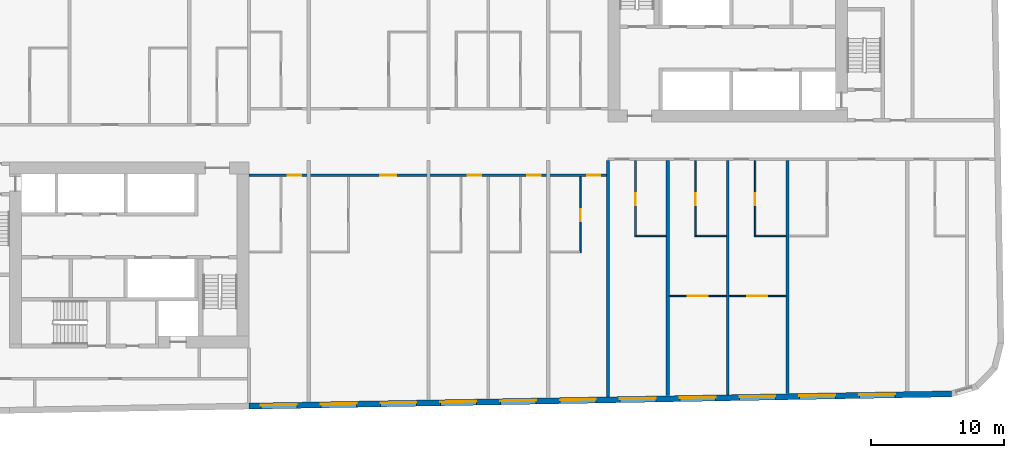
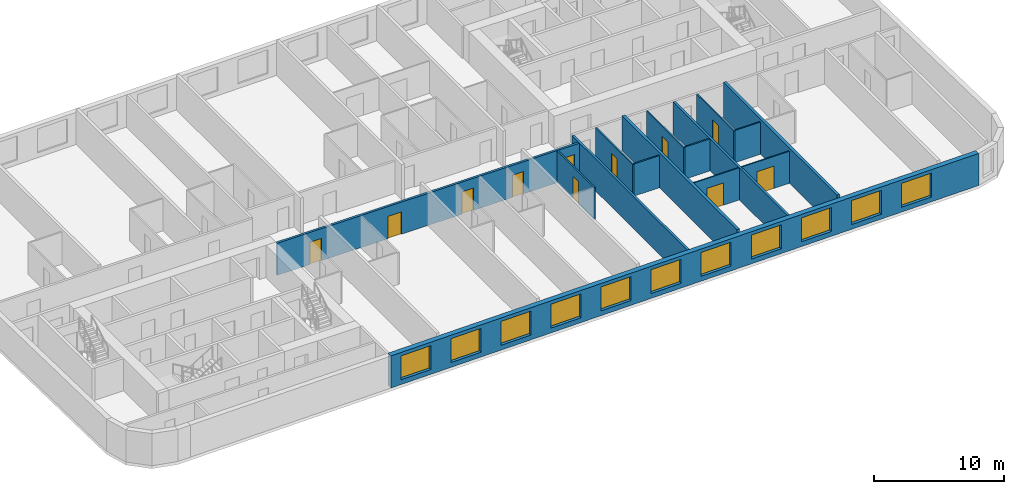
# One storey, part 4 of 11: 15 walls, 11 doors, 11 windows, 22 openings.
"""IFC4 building model written with IfcOpenShell, lengths in metres."""

from ifc_helpers import new_model, si_unit, direction, frame, frame_2d, origin, place, context, subcontext, project, spatial, rectangle, extrude, material, layer, layer_set, type_object, element, fill, save


model = new_model("IFC4")

# Units and contexts
model_context = context("Model", 3, precision=1e-05, world=origin(), true_north=direction((0.0, 1.0)))
body_context = subcontext(model_context, "Body", "Model", "MODEL_VIEW")
ifc_project = project(units=[si_unit("LENGTHUNIT", "METRE"), si_unit("AREAUNIT", "SQUARE_METRE"), si_unit("VOLUMEUNIT", "CUBIC_METRE"), si_unit("PLANEANGLEUNIT", "RADIAN"), si_unit("MASSUNIT", "GRAM", prefix="KILO")], contexts=[model_context])

# Site, building, storey
site_placement = place(None, origin())
site = spatial("IfcSite", under=ifc_project, at=site_placement, CompositionType="ELEMENT")
building_placement = place(site_placement, origin())
building = spatial("IfcBuilding", under=site, at=building_placement, Name="Kajstack Hotel Tower", CompositionType="ELEMENT")
storey_placement = place(building_placement, frame((0.0, 0.0, 230.89990234375)))
storey = spatial("IfcBuildingStorey", under=building, at=storey_placement, Name="L56", CompositionType="ELEMENT", Elevation=230.89990234375)

# Wall, openings, doors
ifc_material_1 = material(Name="Gypsum board on steel studs, mineral wool", Category="steel")
ifc_layer_1 = layer(ifc_material_1, 0.199951171875)
ifc_layer_set_1 = layer_set([ifc_layer_1], Name="Corridor wall 200")
wall_type_1 = type_object("IfcWallType", Name="Corridor wall 200", PredefinedType="PARTITIONING", material=ifc_layer_set_1)
wall_1_placement = place(storey_placement, frame((-13.5, -2.5, 0.0), z_axis=(0.0, 0.0, 1.0), x_axis=(1.0, 0.0, 0.0)))
wall_1 = element("IfcWall", 1, at=wall_1_placement, inside=storey, type_object=wall_type_1, Name="G-wall-L56-025", PredefinedType="PARTITIONING", context=body_context, shape_type="SweptSolid", body=[
    extrude(rectangle(XDim=27.0, YDim=0.199951171875, at=frame_2d((13.5, 0.0))), origin(), (0.0, 0.0, 1.0), 3.02001953125),
])
opening_1_placement = place(wall_1_placement, frame((2.925048828125, 0.0, 0.0)))
opening_1 = element("IfcOpeningElement", 2, at=opening_1_placement, cuts=wall_1, Name="Opening 56019", PredefinedType="OPENING", context=body_context, shape_type="SweptSolid", body=[
    extrude(rectangle(XDim=1.0, YDim=2.10009765625, at=frame_2d((0.5, 1.050048828125))), frame((0.0, 0.10986328125, 0.0), z_axis=(0.0, -1.0, 0.0), x_axis=(1.0, 0.0, 0.0)), (0.0, 0.0, 1.0), 0.219970703125),
])
opening_2_placement = place(wall_1_placement, frame((9.863037109375, 0.0, 0.0)))
opening_2 = element("IfcOpeningElement", 3, at=opening_2_placement, cuts=wall_1, Name="Opening 56021", PredefinedType="OPENING", context=body_context, shape_type="SweptSolid", body=[
    extrude(rectangle(XDim=1.199951171875, YDim=2.10009765625, at=frame_2d((0.60009765625, 1.050048828125))), frame((0.0, 0.10986328125, 0.0), z_axis=(0.0, -1.0, 0.0), x_axis=(1.0, 0.0, 0.0)), (0.0, 0.0, 1.0), 0.219970703125),
])
opening_3_placement = place(wall_1_placement, frame((16.449951171875, 0.0, 0.0)))
opening_3 = element("IfcOpeningElement", 4, at=opening_3_placement, cuts=wall_1, Name="Opening 56023", PredefinedType="OPENING", context=body_context, shape_type="SweptSolid", body=[
    extrude(rectangle(XDim=1.0, YDim=2.10009765625, at=frame_2d((0.5, 1.050048828125))), frame((0.0, 0.10986328125, 0.0), z_axis=(0.0, -1.0, 0.0), x_axis=(1.0, 0.0, 0.0)), (0.0, 0.0, 1.0), 0.219970703125),
])
opening_4_placement = place(wall_1_placement, frame((20.925048828125, 0.0, 0.0)))
opening_4 = element("IfcOpeningElement", 5, at=opening_4_placement, cuts=wall_1, Name="Opening 56025", PredefinedType="OPENING", context=body_context, shape_type="SweptSolid", body=[
    extrude(rectangle(XDim=1.0, YDim=2.10009765625, at=frame_2d((0.5, 1.050048828125))), frame((0.0, 0.10986328125, 0.0), z_axis=(0.0, -1.0, 0.0), x_axis=(1.0, 0.0, 0.0)), (0.0, 0.0, 1.0), 0.219970703125),
])
opening_5_placement = place(wall_1_placement, frame((25.425048828125, 0.0, 0.0)))
opening_5 = element("IfcOpeningElement", 6, at=opening_5_placement, cuts=wall_1, Name="Opening 56027", PredefinedType="OPENING", context=body_context, shape_type="SweptSolid", body=[
    extrude(rectangle(XDim=1.0, YDim=2.10009765625, at=frame_2d((0.5, 1.050048828125))), frame((0.0, 0.10986328125, 0.0), z_axis=(0.0, -1.0, 0.0), x_axis=(1.0, 0.0, 0.0)), (0.0, 0.0, 1.0), 0.219970703125),
])
ifc_material_2 = material(Name="Oak veneer on timber core, fire-rated leaf", Category="wood")
door_type_1 = type_object("IfcDoorType", Name="Flat entrance door 1000", OperationType="SINGLE_SWING_LEFT", PredefinedType="DOOR", material=ifc_material_2)
door_1_placement = place(opening_1_placement, origin())
door_1 = element("IfcDoor", 7, at=door_1_placement, inside=storey, type_object=door_type_1, Name="G-door-L56-19", OperationType="SINGLE_SWING_RIGHT", OverallHeight=2.10009765625, OverallWidth=1.0, PredefinedType="DOOR", context=body_context, shape_type="SweptSolid", body=[
    extrude(rectangle(XDim=1.0, YDim=2.10009765625, at=frame_2d((0.5, 1.050048828125))), frame((0.0, 0.02490234375, 0.0), z_axis=(0.0, -1.0, 0.0), x_axis=(1.0, 0.0, 0.0)), (0.0, 0.0, 1.0), 0.050048828125),
])
fill(opening_1, door_1)
door_2_placement = place(opening_3_placement, origin())
door_2 = element("IfcDoor", 8, at=door_2_placement, inside=storey, type_object=door_type_1, Name="G-door-L56-23", OperationType="SINGLE_SWING_LEFT", OverallHeight=2.10009765625, OverallWidth=1.0, PredefinedType="DOOR", context=body_context, shape_type="SweptSolid", body=[
    extrude(rectangle(XDim=1.0, YDim=2.10009765625, at=frame_2d((0.5, 1.050048828125))), frame((0.0, 0.02490234375, 0.0), z_axis=(0.0, -1.0, 0.0), x_axis=(1.0, 0.0, 0.0)), (0.0, 0.0, 1.0), 0.050048828125),
])
fill(opening_3, door_2)
door_3_placement = place(opening_4_placement, origin())
door_3 = element("IfcDoor", 9, at=door_3_placement, inside=storey, type_object=door_type_1, Name="G-door-L56-25", OperationType="SINGLE_SWING_RIGHT", OverallHeight=2.10009765625, OverallWidth=1.0, PredefinedType="DOOR", context=body_context, shape_type="SweptSolid", body=[
    extrude(rectangle(XDim=1.0, YDim=2.10009765625, at=frame_2d((0.5, 1.050048828125))), frame((0.0, 0.02490234375, 0.0), z_axis=(0.0, -1.0, 0.0), x_axis=(1.0, 0.0, 0.0)), (0.0, 0.0, 1.0), 0.050048828125),
])
fill(opening_4, door_3)
door_4_placement = place(opening_5_placement, origin())
door_4 = element("IfcDoor", 10, at=door_4_placement, inside=storey, type_object=door_type_1, Name="G-door-L56-27", OperationType="SINGLE_SWING_LEFT", OverallHeight=2.10009765625, OverallWidth=1.0, PredefinedType="DOOR", context=body_context, shape_type="SweptSolid", body=[
    extrude(rectangle(XDim=1.0, YDim=2.10009765625, at=frame_2d((0.5, 1.050048828125))), frame((0.0, 0.02490234375, 0.0), z_axis=(0.0, -1.0, 0.0), x_axis=(1.0, 0.0, 0.0)), (0.0, 0.0, 1.0), 0.050048828125),
])
fill(opening_5, door_4)
door_type_2 = type_object("IfcDoorType", Name="Flat entrance door 1200", OperationType="SINGLE_SWING_LEFT", PredefinedType="DOOR", material=ifc_material_2)
door_5_placement = place(opening_2_placement, origin())
door_5 = element("IfcDoor", 11, at=door_5_placement, inside=storey, type_object=door_type_2, Name="G-door-L56-21", OperationType="SINGLE_SWING_RIGHT", OverallHeight=2.10009765625, OverallWidth=1.199951171875, PredefinedType="DOOR", context=body_context, shape_type="SweptSolid", body=[
    extrude(rectangle(XDim=1.199951171875, YDim=2.10009765625, at=frame_2d((0.60009765625, 1.050048828125))), frame((0.0, 0.02490234375, 0.0), z_axis=(0.0, -1.0, 0.0), x_axis=(1.0, 0.0, 0.0)), (0.0, 0.0, 1.0), 0.050048828125),
])
fill(opening_2, door_5)

# Walls
ifc_material_3 = material(Name="Twin-frame gypsum board on steel studs, mineral wool", Category="steel")
ifc_layer_2 = layer(ifc_material_3, 0.199951171875)
ifc_layer_set_2 = layer_set([ifc_layer_2], Name="Demising wall 200")
wall_type_2 = type_object("IfcWallType", Name="Demising wall 200", PredefinedType="PARTITIONING", material=ifc_layer_set_2)
wall_2_placement = place(storey_placement, frame((13.5, -19.169921875, 0.0), z_axis=(0.0, 0.0, 1.0), x_axis=(0.0, 1.0, 0.0)))
element("IfcWall", 12, at=wall_2_placement, inside=storey, type_object=wall_type_2, Name="G-wall-L56-036", PredefinedType="PARTITIONING", context=body_context, shape_type="SweptSolid", body=[
    extrude(rectangle(XDim=17.77001953125, YDim=0.199951171875, at=frame_2d((8.885009765625, 0.0))), origin(), (0.0, 0.0, 1.0), 3.02001953125),
])
wall_3_placement = place(storey_placement, frame((22.5, -19.012939453125, 0.0), z_axis=(0.0, 0.0, 1.0), x_axis=(0.0, 1.0, 0.0)))
element("IfcWall", 13, at=wall_3_placement, inside=storey, type_object=wall_type_2, Name="G-wall-L56-041", PredefinedType="PARTITIONING", context=body_context, shape_type="SweptSolid", body=[
    extrude(rectangle(XDim=17.613037109375, YDim=0.199951171875, at=frame_2d((8.806640625, 0.0))), origin(), (0.0, 0.0, 1.0), 3.02001953125),
])

# Wall, openings, windows
ifc_material_4 = material(Name="Terracotta-faced brick masonry", Category="masonry")
ifc_layer_3 = layer(ifc_material_4, 0.449951171875)
ifc_layer_set_3 = layer_set([ifc_layer_3], Name="EW-TERRA")
wall_type_3 = type_object("IfcWallType", Name="EW-TERRA", PredefinedType="SOLIDWALL", material=ifc_layer_set_3)
wall_4_placement = place(storey_placement, frame((-13.50390625, -19.8662109375, 0.0), z_axis=(0.0, 0.0, 1.0), x_axis=(0.999847672978, 0.017453676992, 0.0)))
wall_4 = element("IfcWall", 14, at=wall_4_placement, inside=storey, type_object=wall_type_3, Name="E-wall-L56-04-02", PredefinedType="SOLIDWALL", context=body_context, shape_type="SweptSolid", body=[
    extrude(rectangle(XDim=52.8603515625, YDim=0.449951171875, at=frame_2d((26.43017578125, 0.0))), origin(), (0.0, 0.0, 1.0), 3.02001953125),
])
opening_6_placement = place(wall_4_placement, frame((0.900390625, 0.0, 0.449951171875)))
opening_6 = element("IfcOpeningElement", 15, at=opening_6_placement, cuts=wall_4, Name="Opening W1", PredefinedType="OPENING", context=body_context, shape_type="SweptSolid", body=[
    extrude(rectangle(XDim=2.699951171875, YDim=2.25, at=frame_2d((1.35009765625, 1.125))), frame((0.0, 0.23486328125, 0.0), z_axis=(0.0, -1.0, 0.0), x_axis=(1.0, 0.0, 0.0)), (0.0, 0.0, 1.0), 0.469970703125),
])
opening_7_placement = place(wall_4_placement, frame((5.40087890625, 0.0, 0.449951171875)))
opening_7 = element("IfcOpeningElement", 16, at=opening_7_placement, cuts=wall_4, Name="Opening W1", PredefinedType="OPENING", context=body_context, shape_type="SweptSolid", body=[
    extrude(rectangle(XDim=2.699951171875, YDim=2.25, at=frame_2d((1.35009765625, 1.125))), frame((0.0, 0.23486328125, 0.0), z_axis=(0.0, -1.0, 0.0), x_axis=(1.0, 0.0, 0.0)), (0.0, 0.0, 1.0), 0.469970703125),
])
opening_8_placement = place(wall_4_placement, frame((9.901611328125, 0.0, 0.449951171875)))
opening_8 = element("IfcOpeningElement", 17, at=opening_8_placement, cuts=wall_4, Name="Opening W1", PredefinedType="OPENING", context=body_context, shape_type="SweptSolid", body=[
    extrude(rectangle(XDim=2.699951171875, YDim=2.25, at=frame_2d((1.35009765625, 1.125))), frame((0.0, 0.23486328125, 0.0), z_axis=(0.0, -1.0, 0.0), x_axis=(1.0, 0.0, 0.0)), (0.0, 0.0, 1.0), 0.469970703125),
])
opening_9_placement = place(wall_4_placement, frame((14.40234375, 0.0, 0.449951171875)))
opening_9 = element("IfcOpeningElement", 18, at=opening_9_placement, cuts=wall_4, Name="Opening W1", PredefinedType="OPENING", context=body_context, shape_type="SweptSolid", body=[
    extrude(rectangle(XDim=2.699951171875, YDim=2.25, at=frame_2d((1.35009765625, 1.125))), frame((0.0, 0.23486328125, 0.0), z_axis=(0.0, -1.0, 0.0), x_axis=(1.0, 0.0, 0.0)), (0.0, 0.0, 1.0), 0.469970703125),
])
opening_10_placement = place(wall_4_placement, frame((18.903076171875, 0.0, 0.449951171875)))
opening_10 = element("IfcOpeningElement", 19, at=opening_10_placement, cuts=wall_4, Name="Opening W1", PredefinedType="OPENING", context=body_context, shape_type="SweptSolid", body=[
    extrude(rectangle(XDim=2.699951171875, YDim=2.25, at=frame_2d((1.35009765625, 1.125))), frame((0.0, 0.23486328125, 0.0), z_axis=(0.0, -1.0, 0.0), x_axis=(1.0, 0.0, 0.0)), (0.0, 0.0, 1.0), 0.469970703125),
])
opening_11_placement = place(wall_4_placement, frame((23.40380859375, 0.0, 0.449951171875)))
opening_11 = element("IfcOpeningElement", 20, at=opening_11_placement, cuts=wall_4, Name="Opening W1", PredefinedType="OPENING", context=body_context, shape_type="SweptSolid", body=[
    extrude(rectangle(XDim=2.699951171875, YDim=2.25, at=frame_2d((1.35009765625, 1.125))), frame((0.0, 0.23486328125, 0.0), z_axis=(0.0, -1.0, 0.0), x_axis=(1.0, 0.0, 0.0)), (0.0, 0.0, 1.0), 0.469970703125),
])
opening_12_placement = place(wall_4_placement, frame((27.904296875, 0.0, 0.449951171875)))
opening_12 = element("IfcOpeningElement", 21, at=opening_12_placement, cuts=wall_4, Name="Opening W1", PredefinedType="OPENING", context=body_context, shape_type="SweptSolid", body=[
    extrude(rectangle(XDim=2.699951171875, YDim=2.25, at=frame_2d((1.35009765625, 1.125))), frame((0.0, 0.23486328125, 0.0), z_axis=(0.0, -1.0, 0.0), x_axis=(1.0, 0.0, 0.0)), (0.0, 0.0, 1.0), 0.469970703125),
])
opening_13_placement = place(wall_4_placement, frame((32.405029296875, 0.0, 0.449951171875)))
opening_13 = element("IfcOpeningElement", 22, at=opening_13_placement, cuts=wall_4, Name="Opening W1", PredefinedType="OPENING", context=body_context, shape_type="SweptSolid", body=[
    extrude(rectangle(XDim=2.699951171875, YDim=2.25, at=frame_2d((1.35009765625, 1.125))), frame((0.0, 0.23486328125, 0.0), z_axis=(0.0, -1.0, 0.0), x_axis=(1.0, 0.0, 0.0)), (0.0, 0.0, 1.0), 0.469970703125),
])
opening_14_placement = place(wall_4_placement, frame((36.90576171875, 0.0, 0.449951171875)))
opening_14 = element("IfcOpeningElement", 23, at=opening_14_placement, cuts=wall_4, Name="Opening W1", PredefinedType="OPENING", context=body_context, shape_type="SweptSolid", body=[
    extrude(rectangle(XDim=2.699951171875, YDim=2.25, at=frame_2d((1.35009765625, 1.125))), frame((0.0, 0.23486328125, 0.0), z_axis=(0.0, -1.0, 0.0), x_axis=(1.0, 0.0, 0.0)), (0.0, 0.0, 1.0), 0.469970703125),
])
opening_15_placement = place(wall_4_placement, frame((41.406494140625, 0.0, 0.449951171875)))
opening_15 = element("IfcOpeningElement", 24, at=opening_15_placement, cuts=wall_4, Name="Opening W1", PredefinedType="OPENING", context=body_context, shape_type="SweptSolid", body=[
    extrude(rectangle(XDim=2.699951171875, YDim=2.25, at=frame_2d((1.35009765625, 1.125))), frame((0.0, 0.23486328125, 0.0), z_axis=(0.0, -1.0, 0.0), x_axis=(1.0, 0.0, 0.0)), (0.0, 0.0, 1.0), 0.469970703125),
])
opening_16_placement = place(wall_4_placement, frame((45.9072265625, 0.0, 0.449951171875)))
opening_16 = element("IfcOpeningElement", 25, at=opening_16_placement, cuts=wall_4, Name="Opening W1", PredefinedType="OPENING", context=body_context, shape_type="SweptSolid", body=[
    extrude(rectangle(XDim=2.699951171875, YDim=2.25, at=frame_2d((1.35009765625, 1.125))), frame((0.0, 0.23486328125, 0.0), z_axis=(0.0, -1.0, 0.0), x_axis=(1.0, 0.0, 0.0)), (0.0, 0.0, 1.0), 0.469970703125),
])
ifc_material_5 = material(Name="Timber-aluminium window, triple glazed", Category="wood")
window_type = type_object("IfcWindowType", Name="WG1", PartitioningType="SINGLE_PANEL", PredefinedType="WINDOW", material=ifc_material_5)
window_1_placement = place(opening_6_placement, origin())
window_1 = element("IfcWindow", 26, at=window_1_placement, inside=storey, type_object=window_type, Name="Window W1 L56-04", OverallHeight=2.25, OverallWidth=2.699951171875, PartitioningType="SINGLE_PANEL", PredefinedType="WINDOW", context=body_context, shape_type="SweptSolid", body=[
    extrude(rectangle(XDim=2.699951171875, YDim=2.25, at=frame_2d((1.35009765625, 1.125))), frame((0.0, 0.090087890625, 0.0), z_axis=(0.0, -1.0, 0.0), x_axis=(1.0, 0.0, 0.0)), (0.0, 0.0, 1.0), 0.06005859375),
])
fill(opening_6, window_1)
window_2_placement = place(opening_7_placement, origin())
window_2 = element("IfcWindow", 27, at=window_2_placement, inside=storey, type_object=window_type, Name="Window W1 L56-04", OverallHeight=2.25, OverallWidth=2.699951171875, PartitioningType="SINGLE_PANEL", PredefinedType="WINDOW", context=body_context, shape_type="SweptSolid", body=[
    extrude(rectangle(XDim=2.699951171875, YDim=2.25, at=frame_2d((1.35009765625, 1.125))), frame((0.0, 0.090087890625, 0.0), z_axis=(0.0, -1.0, 0.0), x_axis=(1.0, 0.0, 0.0)), (0.0, 0.0, 1.0), 0.06005859375),
])
fill(opening_7, window_2)
window_3_placement = place(opening_8_placement, origin())
window_3 = element("IfcWindow", 28, at=window_3_placement, inside=storey, type_object=window_type, Name="Window W1 L56-04", OverallHeight=2.25, OverallWidth=2.699951171875, PartitioningType="SINGLE_PANEL", PredefinedType="WINDOW", context=body_context, shape_type="SweptSolid", body=[
    extrude(rectangle(XDim=2.699951171875, YDim=2.25, at=frame_2d((1.35009765625, 1.125))), frame((0.0, 0.090087890625, 0.0), z_axis=(0.0, -1.0, 0.0), x_axis=(1.0, 0.0, 0.0)), (0.0, 0.0, 1.0), 0.06005859375),
])
fill(opening_8, window_3)
window_4_placement = place(opening_9_placement, origin())
window_4 = element("IfcWindow", 29, at=window_4_placement, inside=storey, type_object=window_type, Name="Window W1 L56-04", OverallHeight=2.25, OverallWidth=2.699951171875, PartitioningType="SINGLE_PANEL", PredefinedType="WINDOW", context=body_context, shape_type="SweptSolid", body=[
    extrude(rectangle(XDim=2.699951171875, YDim=2.25, at=frame_2d((1.35009765625, 1.125))), frame((0.0, 0.090087890625, 0.0), z_axis=(0.0, -1.0, 0.0), x_axis=(1.0, 0.0, 0.0)), (0.0, 0.0, 1.0), 0.06005859375),
])
fill(opening_9, window_4)
window_5_placement = place(opening_10_placement, origin())
window_5 = element("IfcWindow", 30, at=window_5_placement, inside=storey, type_object=window_type, Name="Window W1 L56-04", OverallHeight=2.25, OverallWidth=2.699951171875, PartitioningType="SINGLE_PANEL", PredefinedType="WINDOW", context=body_context, shape_type="SweptSolid", body=[
    extrude(rectangle(XDim=2.699951171875, YDim=2.25, at=frame_2d((1.35009765625, 1.125))), frame((0.0, 0.090087890625, 0.0), z_axis=(0.0, -1.0, 0.0), x_axis=(1.0, 0.0, 0.0)), (0.0, 0.0, 1.0), 0.06005859375),
])
fill(opening_10, window_5)
window_6_placement = place(opening_11_placement, origin())
window_6 = element("IfcWindow", 31, at=window_6_placement, inside=storey, type_object=window_type, Name="Window W1 L56-04", OverallHeight=2.25, OverallWidth=2.699951171875, PartitioningType="SINGLE_PANEL", PredefinedType="WINDOW", context=body_context, shape_type="SweptSolid", body=[
    extrude(rectangle(XDim=2.699951171875, YDim=2.25, at=frame_2d((1.35009765625, 1.125))), frame((0.0, 0.090087890625, 0.0), z_axis=(0.0, -1.0, 0.0), x_axis=(1.0, 0.0, 0.0)), (0.0, 0.0, 1.0), 0.06005859375),
])
fill(opening_11, window_6)
window_7_placement = place(opening_12_placement, origin())
window_7 = element("IfcWindow", 32, at=window_7_placement, inside=storey, type_object=window_type, Name="Window W1 L56-04", OverallHeight=2.25, OverallWidth=2.699951171875, PartitioningType="SINGLE_PANEL", PredefinedType="WINDOW", context=body_context, shape_type="SweptSolid", body=[
    extrude(rectangle(XDim=2.699951171875, YDim=2.25, at=frame_2d((1.35009765625, 1.125))), frame((0.0, 0.090087890625, 0.0), z_axis=(0.0, -1.0, 0.0), x_axis=(1.0, 0.0, 0.0)), (0.0, 0.0, 1.0), 0.06005859375),
])
fill(opening_12, window_7)
window_8_placement = place(opening_13_placement, origin())
window_8 = element("IfcWindow", 33, at=window_8_placement, inside=storey, type_object=window_type, Name="Window W1 L56-04", OverallHeight=2.25, OverallWidth=2.699951171875, PartitioningType="SINGLE_PANEL", PredefinedType="WINDOW", context=body_context, shape_type="SweptSolid", body=[
    extrude(rectangle(XDim=2.699951171875, YDim=2.25, at=frame_2d((1.35009765625, 1.125))), frame((0.0, 0.090087890625, 0.0), z_axis=(0.0, -1.0, 0.0), x_axis=(1.0, 0.0, 0.0)), (0.0, 0.0, 1.0), 0.06005859375),
])
fill(opening_13, window_8)
window_9_placement = place(opening_14_placement, origin())
window_9 = element("IfcWindow", 34, at=window_9_placement, inside=storey, type_object=window_type, Name="Window W1 L56-04", OverallHeight=2.25, OverallWidth=2.699951171875, PartitioningType="SINGLE_PANEL", PredefinedType="WINDOW", context=body_context, shape_type="SweptSolid", body=[
    extrude(rectangle(XDim=2.699951171875, YDim=2.25, at=frame_2d((1.35009765625, 1.125))), frame((0.0, 0.090087890625, 0.0), z_axis=(0.0, -1.0, 0.0), x_axis=(1.0, 0.0, 0.0)), (0.0, 0.0, 1.0), 0.06005859375),
])
fill(opening_14, window_9)
window_10_placement = place(opening_15_placement, origin())
window_10 = element("IfcWindow", 35, at=window_10_placement, inside=storey, type_object=window_type, Name="Window W1 L56-04", OverallHeight=2.25, OverallWidth=2.699951171875, PartitioningType="SINGLE_PANEL", PredefinedType="WINDOW", context=body_context, shape_type="SweptSolid", body=[
    extrude(rectangle(XDim=2.699951171875, YDim=2.25, at=frame_2d((1.35009765625, 1.125))), frame((0.0, 0.090087890625, 0.0), z_axis=(0.0, -1.0, 0.0), x_axis=(1.0, 0.0, 0.0)), (0.0, 0.0, 1.0), 0.06005859375),
])
fill(opening_15, window_10)
window_11_placement = place(opening_16_placement, origin())
window_11 = element("IfcWindow", 36, at=window_11_placement, inside=storey, type_object=window_type, Name="Window W1 L56-04", OverallHeight=2.25, OverallWidth=2.699951171875, PartitioningType="SINGLE_PANEL", PredefinedType="WINDOW", context=body_context, shape_type="SweptSolid", body=[
    extrude(rectangle(XDim=2.699951171875, YDim=2.25, at=frame_2d((1.35009765625, 1.125))), frame((0.0, 0.090087890625, 0.0), z_axis=(0.0, -1.0, 0.0), x_axis=(1.0, 0.0, 0.0)), (0.0, 0.0, 1.0), 0.06005859375),
])
fill(opening_16, window_11)

# Wall, opening, door
ifc_material_6 = material(Name="Gypsum board and tiled backer on steel studs", Category="steel")
ifc_layer_4 = layer(ifc_material_6, 0.125)
ifc_layer_set_4 = layer_set([ifc_layer_4], Name="En-suite wall 125")
wall_type_4 = type_object("IfcWallType", Name="En-suite wall 125", PredefinedType="PARTITIONING", material=ifc_layer_set_4)
wall_5_placement = place(storey_placement, frame((11.43798828125, -8.324951171875, 0.0), z_axis=(0.0, 0.0, 1.0), x_axis=(0.0, 1.0, 0.0)))
wall_5 = element("IfcWall", 37, at=wall_5_placement, inside=storey, type_object=wall_type_4, Name="G-wall-L56-037", PredefinedType="PARTITIONING", context=body_context, shape_type="SweptSolid", body=[
    extrude(rectangle(XDim=5.724853515625, YDim=0.125, at=frame_2d((2.8623046875, 0.0))), origin(), (0.0, 0.0, 1.0), 3.02001953125),
])
opening_17_placement = place(wall_5_placement, frame((2.375, 0.0, 0.0)))
opening_17 = element("IfcOpeningElement", 38, at=opening_17_placement, cuts=wall_5, Name="Opening 56028", PredefinedType="OPENING", context=body_context, shape_type="SweptSolid", body=[
    extrude(rectangle(XDim=0.89990234375, YDim=2.10009765625, at=frame_2d((0.449951171875, 1.050048828125))), frame((0.0, 0.072509765625, 0.0), z_axis=(0.0, -1.0, 0.0), x_axis=(1.0, 0.0, 0.0)), (0.0, 0.0, 1.0), 0.14501953125),
])
ifc_material_7 = material(Name="Painted timber door leaf", Category="wood")
door_type_3 = type_object("IfcDoorType", Name="Room door 900", OperationType="SINGLE_SWING_LEFT", PredefinedType="DOOR", material=ifc_material_7)
door_6_placement = place(opening_17_placement, origin())
door_6 = element("IfcDoor", 39, at=door_6_placement, inside=storey, type_object=door_type_3, Name="G-door-L56-28", OperationType="SINGLE_SWING_LEFT", OverallHeight=2.10009765625, OverallWidth=0.89990234375, PredefinedType="DOOR", context=body_context, shape_type="SweptSolid", body=[
    extrude(rectangle(XDim=0.89990234375, YDim=2.10009765625, at=frame_2d((0.449951171875, 1.050048828125))), frame((0.0, 0.02490234375, 0.0), z_axis=(0.0, -1.0, 0.0), x_axis=(1.0, 0.0, 0.0)), (0.0, 0.0, 1.0), 0.050048828125),
])
fill(opening_17, door_6)

wall_6_placement = place(storey_placement, frame((15.56201171875, -7.125, 0.0), z_axis=(0.0, 0.0, 1.0), x_axis=(0.0, 1.0, 0.0)))
wall_6 = element("IfcWall", 40, at=wall_6_placement, inside=storey, type_object=wall_type_4, Name="G-wall-L56-039", PredefinedType="PARTITIONING", context=body_context, shape_type="SweptSolid", body=[
    extrude(rectangle(XDim=5.72509765625, YDim=0.125, at=frame_2d((2.862548828125, 0.0))), origin(), (0.0, 0.0, 1.0), 3.02001953125),
])
opening_18_placement = place(wall_6_placement, frame((2.375, 0.0, 0.0)))
opening_18 = element("IfcOpeningElement", 41, at=opening_18_placement, cuts=wall_6, Name="Opening 56030", PredefinedType="OPENING", context=body_context, shape_type="SweptSolid", body=[
    extrude(rectangle(XDim=0.89990234375, YDim=2.10009765625, at=frame_2d((0.449951171875, 1.050048828125))), frame((0.0, 0.072509765625, 0.0), z_axis=(0.0, -1.0, 0.0), x_axis=(1.0, 0.0, 0.0)), (0.0, 0.0, 1.0), 0.14501953125),
])
door_7_placement = place(opening_18_placement, origin())
door_7 = element("IfcDoor", 42, at=door_7_placement, inside=storey, type_object=door_type_3, Name="G-door-L56-30", OperationType="SINGLE_SWING_RIGHT", OverallHeight=2.10009765625, OverallWidth=0.89990234375, PredefinedType="DOOR", context=body_context, shape_type="SweptSolid", body=[
    extrude(rectangle(XDim=0.89990234375, YDim=2.10009765625, at=frame_2d((0.449951171875, 1.050048828125))), frame((0.0, 0.02490234375, 0.0), z_axis=(0.0, -1.0, 0.0), x_axis=(1.0, 0.0, 0.0)), (0.0, 0.0, 1.0), 0.050048828125),
])
fill(opening_18, door_7)

# Wall
wall_7_placement = place(storey_placement, frame((15.625, -7.06201171875, 0.0), z_axis=(0.0, 0.0, 1.0), x_axis=(1.0, 0.0, 0.0)))
element("IfcWall", 43, at=wall_7_placement, inside=storey, type_object=wall_type_4, Name="G-wall-L56-040", PredefinedType="PARTITIONING", context=body_context, shape_type="SweptSolid", body=[
    extrude(rectangle(XDim=2.25, YDim=0.125, at=frame_2d((1.125, 0.0))), origin(), (0.0, 0.0, 1.0), 3.02001953125),
])

# Wall, opening, door
wall_8_placement = place(storey_placement, frame((20.0869140625, -7.125, 0.0), z_axis=(0.0, 0.0, 1.0), x_axis=(0.0, 1.0, 0.0)))
wall_8 = element("IfcWall", 44, at=wall_8_placement, inside=storey, type_object=wall_type_4, Name="G-wall-L56-042", PredefinedType="PARTITIONING", context=body_context, shape_type="SweptSolid", body=[
    extrude(rectangle(XDim=5.72509765625, YDim=0.125, at=frame_2d((2.862548828125, 0.0))), origin(), (0.0, 0.0, 1.0), 3.02001953125),
])
opening_19_placement = place(wall_8_placement, frame((2.375, 0.0, 0.0)))
opening_19 = element("IfcOpeningElement", 45, at=opening_19_placement, cuts=wall_8, Name="Opening 56032", PredefinedType="OPENING", context=body_context, shape_type="SweptSolid", body=[
    extrude(rectangle(XDim=0.89990234375, YDim=2.10009765625, at=frame_2d((0.449951171875, 1.050048828125))), frame((0.0, 0.072509765625, 0.0), z_axis=(0.0, -1.0, 0.0), x_axis=(1.0, 0.0, 0.0)), (0.0, 0.0, 1.0), 0.14501953125),
])
door_8_placement = place(opening_19_placement, origin())
door_8 = element("IfcDoor", 46, at=door_8_placement, inside=storey, type_object=door_type_3, Name="G-door-L56-32", OperationType="SINGLE_SWING_RIGHT", OverallHeight=2.10009765625, OverallWidth=0.89990234375, PredefinedType="DOOR", context=body_context, shape_type="SweptSolid", body=[
    extrude(rectangle(XDim=0.89990234375, YDim=2.10009765625, at=frame_2d((0.449951171875, 1.050048828125))), frame((0.0, 0.02490234375, 0.0), z_axis=(0.0, -1.0, 0.0), x_axis=(1.0, 0.0, 0.0)), (0.0, 0.0, 1.0), 0.050048828125),
])
fill(opening_19, door_8)

# Wall
wall_9_placement = place(storey_placement, frame((20.14990234375, -7.06201171875, 0.0), z_axis=(0.0, 0.0, 1.0), x_axis=(1.0, 0.0, 0.0)))
element("IfcWall", 47, at=wall_9_placement, inside=storey, type_object=wall_type_4, Name="G-wall-L56-043", PredefinedType="PARTITIONING", context=body_context, shape_type="SweptSolid", body=[
    extrude(rectangle(XDim=2.25, YDim=0.125, at=frame_2d((1.125, 0.0))), origin(), (0.0, 0.0, 1.0), 3.02001953125),
])

# Wall, opening, door
wall_10_placement = place(storey_placement, frame((24.56201171875, -7.125, 0.0), z_axis=(0.0, 0.0, 1.0), x_axis=(0.0, 1.0, 0.0)))
wall_10 = element("IfcWall", 48, at=wall_10_placement, inside=storey, type_object=wall_type_4, Name="G-wall-L56-045", PredefinedType="PARTITIONING", context=body_context, shape_type="SweptSolid", body=[
    extrude(rectangle(XDim=5.72509765625, YDim=0.125, at=frame_2d((2.862548828125, 0.0))), origin(), (0.0, 0.0, 1.0), 3.02001953125),
])
opening_20_placement = place(wall_10_placement, frame((2.375, 0.0, 0.0)))
opening_20 = element("IfcOpeningElement", 49, at=opening_20_placement, cuts=wall_10, Name="Opening 56035", PredefinedType="OPENING", context=body_context, shape_type="SweptSolid", body=[
    extrude(rectangle(XDim=0.89990234375, YDim=2.10009765625, at=frame_2d((0.449951171875, 1.050048828125))), frame((0.0, 0.072509765625, 0.0), z_axis=(0.0, -1.0, 0.0), x_axis=(1.0, 0.0, 0.0)), (0.0, 0.0, 1.0), 0.14501953125),
])
door_9_placement = place(opening_20_placement, origin())
door_9 = element("IfcDoor", 50, at=door_9_placement, inside=storey, type_object=door_type_3, Name="G-door-L56-35", OperationType="SINGLE_SWING_LEFT", OverallHeight=2.10009765625, OverallWidth=0.89990234375, PredefinedType="DOOR", context=body_context, shape_type="SweptSolid", body=[
    extrude(rectangle(XDim=0.89990234375, YDim=2.10009765625, at=frame_2d((0.449951171875, 1.050048828125))), frame((0.0, 0.02490234375, 0.0), z_axis=(0.0, -1.0, 0.0), x_axis=(1.0, 0.0, 0.0)), (0.0, 0.0, 1.0), 0.050048828125),
])
fill(opening_20, door_9)

# Wall
wall_11_placement = place(storey_placement, frame((24.625, -7.06201171875, 0.0), z_axis=(0.0, 0.0, 1.0), x_axis=(1.0, 0.0, 0.0)))
element("IfcWall", 51, at=wall_11_placement, inside=storey, type_object=wall_type_4, Name="G-wall-L56-046", PredefinedType="PARTITIONING", context=body_context, shape_type="SweptSolid", body=[
    extrude(rectangle(XDim=2.25, YDim=0.125, at=frame_2d((1.125, 0.0))), origin(), (0.0, 0.0, 1.0), 3.02001953125),
])

# Wall, opening, door
ifc_material_8 = material(Name="Gypsum board on steel studs", Category="steel")
ifc_layer_5 = layer(ifc_material_8, 0.10009765625)
ifc_layer_set_5 = layer_set([ifc_layer_5], Name="Partition 100")
wall_type_5 = type_object("IfcWallType", Name="Partition 100", PredefinedType="PARTITIONING", material=ifc_layer_set_5)
wall_12_placement = place(storey_placement, frame((18.125, -11.574951171875, 0.0), z_axis=(0.0, 0.0, 1.0), x_axis=(1.0, 0.0, 0.0)))
wall_12 = element("IfcWall", 52, at=wall_12_placement, inside=storey, type_object=wall_type_5, Name="G-wall-L56-044", PredefinedType="PARTITIONING", context=body_context, shape_type="SweptSolid", body=[
    extrude(rectangle(XDim=4.27490234375, YDim=0.10009765625, at=frame_2d((2.137451171875, 0.0))), origin(), (0.0, 0.0, 1.0), 3.02001953125),
])
opening_21_placement = place(wall_12_placement, frame((1.386962890625, 0.0, 0.0)))
opening_21 = element("IfcOpeningElement", 53, at=opening_21_placement, cuts=wall_12, Name="Opening 56033", PredefinedType="OPENING", context=body_context, shape_type="SweptSolid", body=[
    extrude(rectangle(XDim=1.5, YDim=2.10009765625, at=frame_2d((0.75, 1.050048828125))), frame((0.0, 0.06005859375, 0.0), z_axis=(0.0, -1.0, 0.0), x_axis=(1.0, 0.0, 0.0)), (0.0, 0.0, 1.0), 0.1201171875),
])
ifc_material_9 = material(Name="Painted timber door leaves, glazed panels", Category="wood")
door_type_4 = type_object("IfcDoorType", Name="Double door 1500", OperationType="SINGLE_SWING_LEFT", PredefinedType="DOOR", material=ifc_material_9)
door_10_placement = place(opening_21_placement, origin())
door_10 = element("IfcDoor", 54, at=door_10_placement, inside=storey, type_object=door_type_4, Name="G-door-L56-33", OperationType="SINGLE_SWING_RIGHT", OverallHeight=2.10009765625, OverallWidth=1.5, PredefinedType="DOOR", context=body_context, shape_type="SweptSolid", body=[
    extrude(rectangle(XDim=1.5, YDim=2.10009765625, at=frame_2d((0.75, 1.050048828125))), frame((0.0, 0.02490234375, 0.0), z_axis=(0.0, -1.0, 0.0), x_axis=(1.0, 0.0, 0.0)), (0.0, 0.0, 1.0), 0.050048828125),
])
fill(opening_21, door_10)

wall_13_placement = place(storey_placement, frame((22.60009765625, -11.574951171875, 0.0), z_axis=(0.0, 0.0, 1.0), x_axis=(1.0, 0.0, 0.0)))
wall_13 = element("IfcWall", 55, at=wall_13_placement, inside=storey, type_object=wall_type_5, Name="G-wall-L56-047", PredefinedType="PARTITIONING", context=body_context, shape_type="SweptSolid", body=[
    extrude(rectangle(XDim=4.27490234375, YDim=0.10009765625, at=frame_2d((2.137451171875, 0.0))), origin(), (0.0, 0.0, 1.0), 3.02001953125),
])
opening_22_placement = place(wall_13_placement, frame((1.386962890625, 0.0, 0.0)))
opening_22 = element("IfcOpeningElement", 56, at=opening_22_placement, cuts=wall_13, Name="Opening 56036", PredefinedType="OPENING", context=body_context, shape_type="SweptSolid", body=[
    extrude(rectangle(XDim=1.5, YDim=2.10009765625, at=frame_2d((0.75, 1.050048828125))), frame((0.0, 0.06005859375, 0.0), z_axis=(0.0, -1.0, 0.0), x_axis=(1.0, 0.0, 0.0)), (0.0, 0.0, 1.0), 0.1201171875),
])
door_11_placement = place(opening_22_placement, origin())
door_11 = element("IfcDoor", 57, at=door_11_placement, inside=storey, type_object=door_type_4, Name="G-door-L56-36", OperationType="SINGLE_SWING_RIGHT", OverallHeight=2.10009765625, OverallWidth=1.5, PredefinedType="DOOR", context=body_context, shape_type="SweptSolid", body=[
    extrude(rectangle(XDim=1.5, YDim=2.10009765625, at=frame_2d((0.75, 1.050048828125))), frame((0.0, 0.02490234375, 0.0), z_axis=(0.0, -1.0, 0.0), x_axis=(1.0, 0.0, 0.0)), (0.0, 0.0, 1.0), 0.050048828125),
])
fill(opening_22, door_11)

# Walls
ifc_material_10 = material(Name="Concrete C45/55", Category="concrete")
ifc_layer_6 = layer(ifc_material_10, 0.25)
ifc_layer_set_6 = layer_set([ifc_layer_6], Name="RC cross wall 250 C45/55")
wall_type_6 = type_object("IfcWallType", Name="RC cross wall 250 C45/55", PredefinedType="SHEAR", material=ifc_layer_set_6)
wall_14_placement = place(storey_placement, frame((18.0, -19.0791015625, 0.0), z_axis=(0.0, 0.0, 1.0), x_axis=(0.0, 1.0, 0.0)))
element("IfcWall", 58, at=wall_14_placement, inside=storey, type_object=wall_type_6, Name="S-wall-L56-10", PredefinedType="SHEAR", context=body_context, shape_type="SweptSolid", body=[
    extrude(rectangle(XDim=17.67919921875, YDim=0.25, at=frame_2d((8.839599609375, 0.0))), origin(), (0.0, 0.0, 1.0), 3.300048828125),
])
wall_15_placement = place(storey_placement, frame((27.0, -18.922119140625, 0.0), z_axis=(0.0, 0.0, 1.0), x_axis=(0.0, 1.0, 0.0)))
element("IfcWall", 59, at=wall_15_placement, inside=storey, type_object=wall_type_6, Name="S-wall-L56-11", PredefinedType="SHEAR", context=body_context, shape_type="SweptSolid", body=[
    extrude(rectangle(XDim=17.522216796875, YDim=0.25, at=frame_2d((8.76123046875, 0.0))), origin(), (0.0, 0.0, 1.0), 3.300048828125),
])

save(model, "model.ifc")
